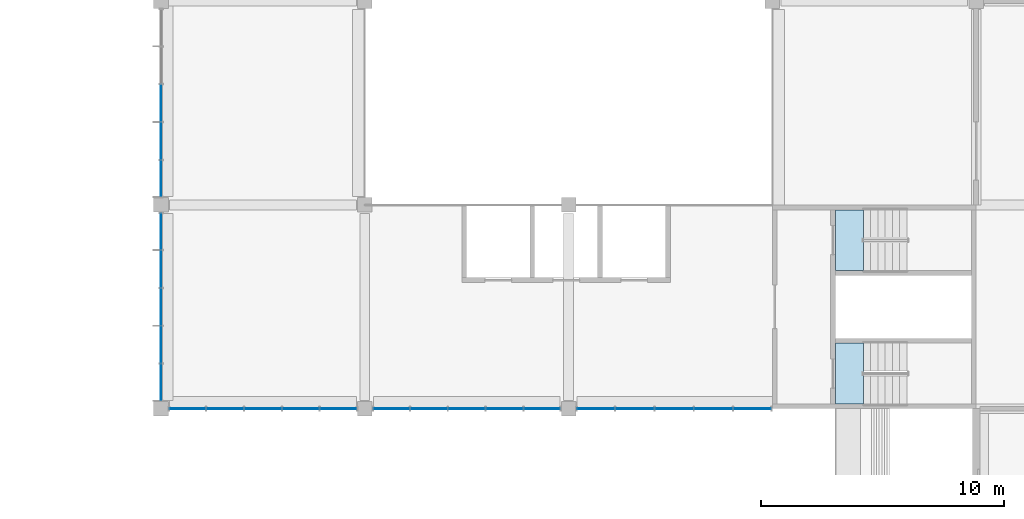
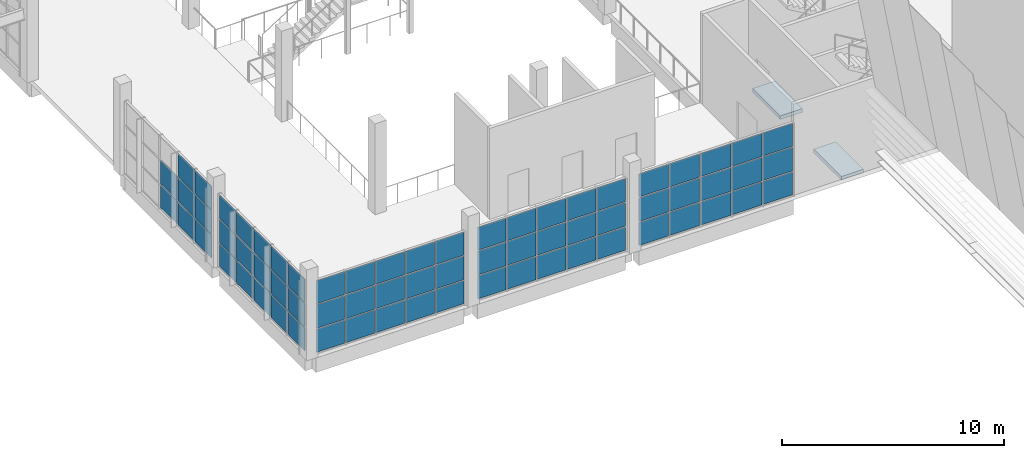
# One storey, part 15 of 59: 68 plates, 2 slabs, 5 elements without a shape of their own.
"""IFC4 building model written with IfcOpenShell, lengths in metres."""

from ifc_helpers import new_model, si_unit, direction, frame, origin, origin_2d, place, context, subcontext, project, spatial, polyline, rectangle, outline, extrude, material, layer, layer_set, type_object, element, aggregate, save


model = new_model("IFC4")

# Units and contexts
model_context = context("Model", 3, precision=1e-05, world=origin(), true_north=direction((0.0, 1.0)))
body_context = subcontext(model_context, "Body", "Model", "MODEL_VIEW")
ifc_project = project(units=[si_unit("LENGTHUNIT", "METRE"), si_unit("AREAUNIT", "SQUARE_METRE"), si_unit("VOLUMEUNIT", "CUBIC_METRE"), si_unit("PLANEANGLEUNIT", "RADIAN"), si_unit("MASSUNIT", "GRAM", prefix="KILO")], contexts=[model_context])

# Site, building, storey
site_placement = place(None, origin())
site = spatial("IfcSite", under=ifc_project, at=site_placement, CompositionType="ELEMENT")
building_placement = place(site_placement, origin())
building = spatial("IfcBuilding", under=site, at=building_placement, Name="Almond Square Museum", CompositionType="ELEMENT")
storey_placement = place(building_placement, frame((0.0, 0.0, 25.0)))
storey = spatial("IfcBuildingStorey", under=building, at=storey_placement, Name="L04", CompositionType="ELEMENT", Elevation=25.0)

# Slabs
ifc_material_1 = material(Name="Concrete C40/50", Category="concrete")
ifc_layer_1 = layer(ifc_material_1, 0.199951171875)
ifc_layer_set_1 = layer_set([ifc_layer_1], Name="Concrete C40/50")
slab_type = type_object("IfcSlabType", Name="Concrete stair landing 200", PredefinedType="LANDING", material=ifc_layer_set_1)
slab_1_placement = place(storey_placement, frame((0.0, 0.0, -0.199951171875)))
element("IfcSlab", 1, at=slab_1_placement, inside=storey, type_object=slab_type, Name="L04 stair A2-1 floor landing", PredefinedType="LANDING", context=body_context, shape_type="SweptSolid", body=[
    extrude(outline(polyline([(101.0, 67.39990234375), (102.153076171875, 67.39990234375), (102.153076171875, 69.89990234375), (101.0, 69.89990234375), (101.0, 67.39990234375)])), origin(), (0.0, 0.0, 1.0), 0.199951171875),
])
slab_2_placement = place(storey_placement, frame((0.0, 0.0, -0.199951171875)))
element("IfcSlab", 2, at=slab_2_placement, inside=storey, type_object=slab_type, Name="L04 stair A2-2 floor landing", PredefinedType="LANDING", context=body_context, shape_type="SweptSolid", body=[
    extrude(outline(polyline([(101.0, 72.89990234375), (102.153076171875, 72.89990234375), (102.153076171875, 75.39990234375), (101.0, 75.39990234375), (101.0, 72.89990234375)])), origin(), (0.0, 0.0, 1.0), 0.199951171875),
])

# Curtain wall, plates
ifc_material_2 = material(Name="Aluminium and laminated glass", Category="aluminium")
curtain_wall_type = type_object("IfcCurtainWallType", Name="Unitised curtain wall 1500 module", PredefinedType="NOTDEFINED", material=ifc_material_2)
curtain_wall_1_placement = place(storey_placement, origin())
curtain_wall_1 = element("IfcCurtainWall", 3, at=curtain_wall_1_placement, inside=storey, type_object=curtain_wall_type, Name="Curtain wall CW-45", PredefinedType="NOTDEFINED")
ifc_material_3 = material(Name="Laminated hurricane-rated glass", Category="glass")
ifc_layer_2 = layer(ifc_material_3, 0.035888671875)
ifc_layer_set_2 = layer_set([ifc_layer_2], Name="Laminated hurricane-rated glass")
plate_type = type_object("IfcPlateType", Name="Laminated glass panel 36", PredefinedType="CURTAIN_PANEL", material=ifc_layer_set_2)
plate_1_placement = place(storey_placement, frame((73.199951171875, 76.695068359375, 0.06005859375), z_axis=(0.0, 0.0, 1.0), x_axis=(0.0, 1.0, 0.0)))
plate_1 = element("IfcPlate", 4, at=plate_1_placement, type_object=plate_type, Name="CW-45 panel 1.1", PredefinedType="CURTAIN_PANEL", context=body_context, shape_type="SweptSolid", body=[
    extrude(rectangle(XDim=1.469970703125, YDim=0.035888671875, at=origin_2d()), origin(), (0.0, 0.0, 1.0), 1.260009765625),
])
plate_2_placement = place(storey_placement, frame((73.199951171875, 76.695068359375, 1.3798828125), z_axis=(0.0, 0.0, 1.0), x_axis=(0.0, 1.0, 0.0)))
plate_2 = element("IfcPlate", 5, at=plate_2_placement, type_object=plate_type, Name="CW-45 panel 1.2", PredefinedType="CURTAIN_PANEL", context=body_context, shape_type="SweptSolid", body=[
    extrude(rectangle(XDim=1.469970703125, YDim=0.035888671875, at=origin_2d()), origin(), (0.0, 0.0, 1.0), 1.2900390625),
])
plate_3_placement = place(storey_placement, frame((73.199951171875, 76.695068359375, 2.72998046875), z_axis=(0.0, 0.0, 1.0), x_axis=(0.0, 1.0, 0.0)))
plate_3 = element("IfcPlate", 6, at=plate_3_placement, type_object=plate_type, Name="CW-45 panel 1.3", PredefinedType="CURTAIN_PANEL", context=body_context, shape_type="SweptSolid", body=[
    extrude(rectangle(XDim=1.469970703125, YDim=0.035888671875, at=origin_2d()), origin(), (0.0, 0.0, 1.0), 1.260009765625),
])
plate_4_placement = place(storey_placement, frame((73.199951171875, 78.239990234375, 0.06005859375), z_axis=(0.0, 0.0, 1.0), x_axis=(0.0, 1.0, 0.0)))
plate_4 = element("IfcPlate", 7, at=plate_4_placement, type_object=plate_type, Name="CW-45 panel 2.1", PredefinedType="CURTAIN_PANEL", context=body_context, shape_type="SweptSolid", body=[
    extrude(rectangle(XDim=1.5, YDim=0.035888671875, at=origin_2d()), origin(), (0.0, 0.0, 1.0), 1.260009765625),
])
plate_5_placement = place(storey_placement, frame((73.199951171875, 78.239990234375, 1.3798828125), z_axis=(0.0, 0.0, 1.0), x_axis=(0.0, 1.0, 0.0)))
plate_5 = element("IfcPlate", 8, at=plate_5_placement, type_object=plate_type, Name="CW-45 panel 2.2", PredefinedType="CURTAIN_PANEL", context=body_context, shape_type="SweptSolid", body=[
    extrude(rectangle(XDim=1.5, YDim=0.035888671875, at=origin_2d()), origin(), (0.0, 0.0, 1.0), 1.2900390625),
])
plate_6_placement = place(storey_placement, frame((73.199951171875, 78.239990234375, 2.72998046875), z_axis=(0.0, 0.0, 1.0), x_axis=(0.0, 1.0, 0.0)))
plate_6 = element("IfcPlate", 9, at=plate_6_placement, type_object=plate_type, Name="CW-45 panel 2.3", PredefinedType="CURTAIN_PANEL", context=body_context, shape_type="SweptSolid", body=[
    extrude(rectangle(XDim=1.5, YDim=0.035888671875, at=origin_2d()), origin(), (0.0, 0.0, 1.0), 1.260009765625),
])
plate_7_placement = place(storey_placement, frame((73.199951171875, 79.800048828125, 0.06005859375), z_axis=(0.0, 0.0, 1.0), x_axis=(0.0, 1.0, 0.0)))
plate_7 = element("IfcPlate", 10, at=plate_7_placement, type_object=plate_type, Name="CW-45 panel 3.1", PredefinedType="CURTAIN_PANEL", context=body_context, shape_type="SweptSolid", body=[
    extrude(rectangle(XDim=1.5, YDim=0.035888671875, at=origin_2d()), origin(), (0.0, 0.0, 1.0), 1.260009765625),
])
plate_8_placement = place(storey_placement, frame((73.199951171875, 79.800048828125, 1.3798828125), z_axis=(0.0, 0.0, 1.0), x_axis=(0.0, 1.0, 0.0)))
plate_8 = element("IfcPlate", 11, at=plate_8_placement, type_object=plate_type, Name="CW-45 panel 3.2", PredefinedType="CURTAIN_PANEL", context=body_context, shape_type="SweptSolid", body=[
    extrude(rectangle(XDim=1.5, YDim=0.035888671875, at=origin_2d()), origin(), (0.0, 0.0, 1.0), 1.2900390625),
])
aggregate(curtain_wall_1, [plate_1, plate_2, plate_3, plate_4, plate_5, plate_6, plate_7, plate_8])

curtain_wall_2_placement = place(storey_placement, origin())
curtain_wall_2 = element("IfcCurtainWall", 12, at=curtain_wall_2_placement, inside=storey, type_object=curtain_wall_type, Name="Curtain wall CW-46", PredefinedType="NOTDEFINED")
plate_9_placement = place(storey_placement, frame((73.199951171875, 68.294921875, 0.06005859375), z_axis=(0.0, 0.0, 1.0), x_axis=(0.0, 1.0, 0.0)))
plate_9 = element("IfcPlate", 13, at=plate_9_placement, type_object=plate_type, Name="CW-46 panel 1.1", PredefinedType="CURTAIN_PANEL", context=body_context, shape_type="SweptSolid", body=[
    extrude(rectangle(XDim=1.469970703125, YDim=0.035888671875, at=origin_2d()), origin(), (0.0, 0.0, 1.0), 1.260009765625),
])
plate_10_placement = place(storey_placement, frame((73.199951171875, 68.294921875, 1.3798828125), z_axis=(0.0, 0.0, 1.0), x_axis=(0.0, 1.0, 0.0)))
plate_10 = element("IfcPlate", 14, at=plate_10_placement, type_object=plate_type, Name="CW-46 panel 1.2", PredefinedType="CURTAIN_PANEL", context=body_context, shape_type="SweptSolid", body=[
    extrude(rectangle(XDim=1.469970703125, YDim=0.035888671875, at=origin_2d()), origin(), (0.0, 0.0, 1.0), 1.2900390625),
])
plate_11_placement = place(storey_placement, frame((73.199951171875, 68.294921875, 2.72998046875), z_axis=(0.0, 0.0, 1.0), x_axis=(0.0, 1.0, 0.0)))
plate_11 = element("IfcPlate", 15, at=plate_11_placement, type_object=plate_type, Name="CW-46 panel 1.3", PredefinedType="CURTAIN_PANEL", context=body_context, shape_type="SweptSolid", body=[
    extrude(rectangle(XDim=1.469970703125, YDim=0.035888671875, at=origin_2d()), origin(), (0.0, 0.0, 1.0), 1.260009765625),
])
plate_12_placement = place(storey_placement, frame((73.199951171875, 69.840087890625, 0.06005859375), z_axis=(0.0, 0.0, 1.0), x_axis=(0.0, 1.0, 0.0)))
plate_12 = element("IfcPlate", 16, at=plate_12_placement, type_object=plate_type, Name="CW-46 panel 2.1", PredefinedType="CURTAIN_PANEL", context=body_context, shape_type="SweptSolid", body=[
    extrude(rectangle(XDim=1.5, YDim=0.035888671875, at=origin_2d()), origin(), (0.0, 0.0, 1.0), 1.260009765625),
])
plate_13_placement = place(storey_placement, frame((73.199951171875, 69.840087890625, 1.3798828125), z_axis=(0.0, 0.0, 1.0), x_axis=(0.0, 1.0, 0.0)))
plate_13 = element("IfcPlate", 17, at=plate_13_placement, type_object=plate_type, Name="CW-46 panel 2.2", PredefinedType="CURTAIN_PANEL", context=body_context, shape_type="SweptSolid", body=[
    extrude(rectangle(XDim=1.5, YDim=0.035888671875, at=origin_2d()), origin(), (0.0, 0.0, 1.0), 1.2900390625),
])
plate_14_placement = place(storey_placement, frame((73.199951171875, 69.840087890625, 2.72998046875), z_axis=(0.0, 0.0, 1.0), x_axis=(0.0, 1.0, 0.0)))
plate_14 = element("IfcPlate", 18, at=plate_14_placement, type_object=plate_type, Name="CW-46 panel 2.3", PredefinedType="CURTAIN_PANEL", context=body_context, shape_type="SweptSolid", body=[
    extrude(rectangle(XDim=1.5, YDim=0.035888671875, at=origin_2d()), origin(), (0.0, 0.0, 1.0), 1.260009765625),
])
plate_15_placement = place(storey_placement, frame((73.199951171875, 71.39990234375, 0.06005859375), z_axis=(0.0, 0.0, 1.0), x_axis=(0.0, 1.0, 0.0)))
plate_15 = element("IfcPlate", 19, at=plate_15_placement, type_object=plate_type, Name="CW-46 panel 3.1", PredefinedType="CURTAIN_PANEL", context=body_context, shape_type="SweptSolid", body=[
    extrude(rectangle(XDim=1.5, YDim=0.035888671875, at=origin_2d()), origin(), (0.0, 0.0, 1.0), 1.260009765625),
])
plate_16_placement = place(storey_placement, frame((73.199951171875, 71.39990234375, 1.3798828125), z_axis=(0.0, 0.0, 1.0), x_axis=(0.0, 1.0, 0.0)))
plate_16 = element("IfcPlate", 20, at=plate_16_placement, type_object=plate_type, Name="CW-46 panel 3.2", PredefinedType="CURTAIN_PANEL", context=body_context, shape_type="SweptSolid", body=[
    extrude(rectangle(XDim=1.5, YDim=0.035888671875, at=origin_2d()), origin(), (0.0, 0.0, 1.0), 1.2900390625),
])
plate_17_placement = place(storey_placement, frame((73.199951171875, 71.39990234375, 2.72998046875), z_axis=(0.0, 0.0, 1.0), x_axis=(0.0, 1.0, 0.0)))
plate_17 = element("IfcPlate", 21, at=plate_17_placement, type_object=plate_type, Name="CW-46 panel 3.3", PredefinedType="CURTAIN_PANEL", context=body_context, shape_type="SweptSolid", body=[
    extrude(rectangle(XDim=1.5, YDim=0.035888671875, at=origin_2d()), origin(), (0.0, 0.0, 1.0), 1.260009765625),
])
plate_18_placement = place(storey_placement, frame((73.199951171875, 72.9599609375, 0.06005859375), z_axis=(0.0, 0.0, 1.0), x_axis=(0.0, 1.0, 0.0)))
plate_18 = element("IfcPlate", 22, at=plate_18_placement, type_object=plate_type, Name="CW-46 panel 4.1", PredefinedType="CURTAIN_PANEL", context=body_context, shape_type="SweptSolid", body=[
    extrude(rectangle(XDim=1.5, YDim=0.035888671875, at=origin_2d()), origin(), (0.0, 0.0, 1.0), 1.260009765625),
])
plate_19_placement = place(storey_placement, frame((73.199951171875, 72.9599609375, 1.3798828125), z_axis=(0.0, 0.0, 1.0), x_axis=(0.0, 1.0, 0.0)))
plate_19 = element("IfcPlate", 23, at=plate_19_placement, type_object=plate_type, Name="CW-46 panel 4.2", PredefinedType="CURTAIN_PANEL", context=body_context, shape_type="SweptSolid", body=[
    extrude(rectangle(XDim=1.5, YDim=0.035888671875, at=origin_2d()), origin(), (0.0, 0.0, 1.0), 1.2900390625),
])
plate_20_placement = place(storey_placement, frame((73.199951171875, 72.9599609375, 2.72998046875), z_axis=(0.0, 0.0, 1.0), x_axis=(0.0, 1.0, 0.0)))
plate_20 = element("IfcPlate", 24, at=plate_20_placement, type_object=plate_type, Name="CW-46 panel 4.3", PredefinedType="CURTAIN_PANEL", context=body_context, shape_type="SweptSolid", body=[
    extrude(rectangle(XDim=1.5, YDim=0.035888671875, at=origin_2d()), origin(), (0.0, 0.0, 1.0), 1.260009765625),
])
plate_21_placement = place(storey_placement, frame((73.199951171875, 74.5048828125, 0.06005859375), z_axis=(0.0, 0.0, 1.0), x_axis=(0.0, 1.0, 0.0)))
plate_21 = element("IfcPlate", 25, at=plate_21_placement, type_object=plate_type, Name="CW-46 panel 5.1", PredefinedType="CURTAIN_PANEL", context=body_context, shape_type="SweptSolid", body=[
    extrude(rectangle(XDim=1.469970703125, YDim=0.035888671875, at=origin_2d()), origin(), (0.0, 0.0, 1.0), 1.260009765625),
])
plate_22_placement = place(storey_placement, frame((73.199951171875, 74.5048828125, 1.3798828125), z_axis=(0.0, 0.0, 1.0), x_axis=(0.0, 1.0, 0.0)))
plate_22 = element("IfcPlate", 26, at=plate_22_placement, type_object=plate_type, Name="CW-46 panel 5.2", PredefinedType="CURTAIN_PANEL", context=body_context, shape_type="SweptSolid", body=[
    extrude(rectangle(XDim=1.469970703125, YDim=0.035888671875, at=origin_2d()), origin(), (0.0, 0.0, 1.0), 1.2900390625),
])
plate_23_placement = place(storey_placement, frame((73.199951171875, 74.5048828125, 2.72998046875), z_axis=(0.0, 0.0, 1.0), x_axis=(0.0, 1.0, 0.0)))
plate_23 = element("IfcPlate", 27, at=plate_23_placement, type_object=plate_type, Name="CW-46 panel 5.3", PredefinedType="CURTAIN_PANEL", context=body_context, shape_type="SweptSolid", body=[
    extrude(rectangle(XDim=1.469970703125, YDim=0.035888671875, at=origin_2d()), origin(), (0.0, 0.0, 1.0), 1.260009765625),
])
aggregate(curtain_wall_2, [plate_9, plate_10, plate_11, plate_12, plate_13, plate_14, plate_15, plate_16, plate_17, plate_18, plate_19, plate_20, plate_21, plate_22, plate_23])

curtain_wall_3_placement = place(storey_placement, origin())
curtain_wall_3 = element("IfcCurtainWall", 28, at=curtain_wall_3_placement, inside=storey, type_object=curtain_wall_type, Name="Curtain wall CW-47", PredefinedType="NOTDEFINED")
plate_24_placement = place(storey_placement, frame((74.294921875, 67.199951171875, 0.06005859375), z_axis=(0.0, 0.0, 1.0), x_axis=(1.0, 0.0, 0.0)))
plate_24 = element("IfcPlate", 29, at=plate_24_placement, type_object=plate_type, Name="CW-47 panel 1.1", PredefinedType="CURTAIN_PANEL", context=body_context, shape_type="SweptSolid", body=[
    extrude(rectangle(XDim=1.469970703125, YDim=0.035888671875, at=origin_2d()), origin(), (0.0, 0.0, 1.0), 1.260009765625),
])
plate_25_placement = place(storey_placement, frame((74.294921875, 67.199951171875, 1.3798828125), z_axis=(0.0, 0.0, 1.0), x_axis=(1.0, 0.0, 0.0)))
plate_25 = element("IfcPlate", 30, at=plate_25_placement, type_object=plate_type, Name="CW-47 panel 1.2", PredefinedType="CURTAIN_PANEL", context=body_context, shape_type="SweptSolid", body=[
    extrude(rectangle(XDim=1.469970703125, YDim=0.035888671875, at=origin_2d()), origin(), (0.0, 0.0, 1.0), 1.2900390625),
])
plate_26_placement = place(storey_placement, frame((74.294921875, 67.199951171875, 2.72998046875), z_axis=(0.0, 0.0, 1.0), x_axis=(1.0, 0.0, 0.0)))
plate_26 = element("IfcPlate", 31, at=plate_26_placement, type_object=plate_type, Name="CW-47 panel 1.3", PredefinedType="CURTAIN_PANEL", context=body_context, shape_type="SweptSolid", body=[
    extrude(rectangle(XDim=1.469970703125, YDim=0.035888671875, at=origin_2d()), origin(), (0.0, 0.0, 1.0), 1.260009765625),
])
plate_27_placement = place(storey_placement, frame((75.840087890625, 67.199951171875, 0.06005859375), z_axis=(0.0, 0.0, 1.0), x_axis=(1.0, 0.0, 0.0)))
plate_27 = element("IfcPlate", 32, at=plate_27_placement, type_object=plate_type, Name="CW-47 panel 2.1", PredefinedType="CURTAIN_PANEL", context=body_context, shape_type="SweptSolid", body=[
    extrude(rectangle(XDim=1.5, YDim=0.035888671875, at=origin_2d()), origin(), (0.0, 0.0, 1.0), 1.260009765625),
])
plate_28_placement = place(storey_placement, frame((75.840087890625, 67.199951171875, 1.3798828125), z_axis=(0.0, 0.0, 1.0), x_axis=(1.0, 0.0, 0.0)))
plate_28 = element("IfcPlate", 33, at=plate_28_placement, type_object=plate_type, Name="CW-47 panel 2.2", PredefinedType="CURTAIN_PANEL", context=body_context, shape_type="SweptSolid", body=[
    extrude(rectangle(XDim=1.5, YDim=0.035888671875, at=origin_2d()), origin(), (0.0, 0.0, 1.0), 1.2900390625),
])
plate_29_placement = place(storey_placement, frame((75.840087890625, 67.199951171875, 2.72998046875), z_axis=(0.0, 0.0, 1.0), x_axis=(1.0, 0.0, 0.0)))
plate_29 = element("IfcPlate", 34, at=plate_29_placement, type_object=plate_type, Name="CW-47 panel 2.3", PredefinedType="CURTAIN_PANEL", context=body_context, shape_type="SweptSolid", body=[
    extrude(rectangle(XDim=1.5, YDim=0.035888671875, at=origin_2d()), origin(), (0.0, 0.0, 1.0), 1.260009765625),
])
plate_30_placement = place(storey_placement, frame((77.39990234375, 67.199951171875, 0.06005859375), z_axis=(0.0, 0.0, 1.0), x_axis=(1.0, 0.0, 0.0)))
plate_30 = element("IfcPlate", 35, at=plate_30_placement, type_object=plate_type, Name="CW-47 panel 3.1", PredefinedType="CURTAIN_PANEL", context=body_context, shape_type="SweptSolid", body=[
    extrude(rectangle(XDim=1.5, YDim=0.035888671875, at=origin_2d()), origin(), (0.0, 0.0, 1.0), 1.260009765625),
])
plate_31_placement = place(storey_placement, frame((77.39990234375, 67.199951171875, 1.3798828125), z_axis=(0.0, 0.0, 1.0), x_axis=(1.0, 0.0, 0.0)))
plate_31 = element("IfcPlate", 36, at=plate_31_placement, type_object=plate_type, Name="CW-47 panel 3.2", PredefinedType="CURTAIN_PANEL", context=body_context, shape_type="SweptSolid", body=[
    extrude(rectangle(XDim=1.5, YDim=0.035888671875, at=origin_2d()), origin(), (0.0, 0.0, 1.0), 1.2900390625),
])
plate_32_placement = place(storey_placement, frame((77.39990234375, 67.199951171875, 2.72998046875), z_axis=(0.0, 0.0, 1.0), x_axis=(1.0, 0.0, 0.0)))
plate_32 = element("IfcPlate", 37, at=plate_32_placement, type_object=plate_type, Name="CW-47 panel 3.3", PredefinedType="CURTAIN_PANEL", context=body_context, shape_type="SweptSolid", body=[
    extrude(rectangle(XDim=1.5, YDim=0.035888671875, at=origin_2d()), origin(), (0.0, 0.0, 1.0), 1.260009765625),
])
plate_33_placement = place(storey_placement, frame((78.9599609375, 67.199951171875, 0.06005859375), z_axis=(0.0, 0.0, 1.0), x_axis=(1.0, 0.0, 0.0)))
plate_33 = element("IfcPlate", 38, at=plate_33_placement, type_object=plate_type, Name="CW-47 panel 4.1", PredefinedType="CURTAIN_PANEL", context=body_context, shape_type="SweptSolid", body=[
    extrude(rectangle(XDim=1.5, YDim=0.035888671875, at=origin_2d()), origin(), (0.0, 0.0, 1.0), 1.260009765625),
])
plate_34_placement = place(storey_placement, frame((78.9599609375, 67.199951171875, 1.3798828125), z_axis=(0.0, 0.0, 1.0), x_axis=(1.0, 0.0, 0.0)))
plate_34 = element("IfcPlate", 39, at=plate_34_placement, type_object=plate_type, Name="CW-47 panel 4.2", PredefinedType="CURTAIN_PANEL", context=body_context, shape_type="SweptSolid", body=[
    extrude(rectangle(XDim=1.5, YDim=0.035888671875, at=origin_2d()), origin(), (0.0, 0.0, 1.0), 1.2900390625),
])
plate_35_placement = place(storey_placement, frame((78.9599609375, 67.199951171875, 2.72998046875), z_axis=(0.0, 0.0, 1.0), x_axis=(1.0, 0.0, 0.0)))
plate_35 = element("IfcPlate", 40, at=plate_35_placement, type_object=plate_type, Name="CW-47 panel 4.3", PredefinedType="CURTAIN_PANEL", context=body_context, shape_type="SweptSolid", body=[
    extrude(rectangle(XDim=1.5, YDim=0.035888671875, at=origin_2d()), origin(), (0.0, 0.0, 1.0), 1.260009765625),
])
plate_36_placement = place(storey_placement, frame((80.5048828125, 67.199951171875, 0.06005859375), z_axis=(0.0, 0.0, 1.0), x_axis=(1.0, 0.0, 0.0)))
plate_36 = element("IfcPlate", 41, at=plate_36_placement, type_object=plate_type, Name="CW-47 panel 5.1", PredefinedType="CURTAIN_PANEL", context=body_context, shape_type="SweptSolid", body=[
    extrude(rectangle(XDim=1.469970703125, YDim=0.035888671875, at=origin_2d()), origin(), (0.0, 0.0, 1.0), 1.260009765625),
])
plate_37_placement = place(storey_placement, frame((80.5048828125, 67.199951171875, 1.3798828125), z_axis=(0.0, 0.0, 1.0), x_axis=(1.0, 0.0, 0.0)))
plate_37 = element("IfcPlate", 42, at=plate_37_placement, type_object=plate_type, Name="CW-47 panel 5.2", PredefinedType="CURTAIN_PANEL", context=body_context, shape_type="SweptSolid", body=[
    extrude(rectangle(XDim=1.469970703125, YDim=0.035888671875, at=origin_2d()), origin(), (0.0, 0.0, 1.0), 1.2900390625),
])
plate_38_placement = place(storey_placement, frame((80.5048828125, 67.199951171875, 2.72998046875), z_axis=(0.0, 0.0, 1.0), x_axis=(1.0, 0.0, 0.0)))
plate_38 = element("IfcPlate", 43, at=plate_38_placement, type_object=plate_type, Name="CW-47 panel 5.3", PredefinedType="CURTAIN_PANEL", context=body_context, shape_type="SweptSolid", body=[
    extrude(rectangle(XDim=1.469970703125, YDim=0.035888671875, at=origin_2d()), origin(), (0.0, 0.0, 1.0), 1.260009765625),
])
aggregate(curtain_wall_3, [plate_24, plate_25, plate_26, plate_27, plate_28, plate_29, plate_30, plate_31, plate_32, plate_33, plate_34, plate_35, plate_36, plate_37, plate_38])

curtain_wall_4_placement = place(storey_placement, origin())
curtain_wall_4 = element("IfcCurtainWall", 44, at=curtain_wall_4_placement, inside=storey, type_object=curtain_wall_type, Name="Curtain wall CW-48", PredefinedType="NOTDEFINED")
plate_39_placement = place(storey_placement, frame((82.695068359375, 67.199951171875, 0.06005859375), z_axis=(0.0, 0.0, 1.0), x_axis=(1.0, 0.0, 0.0)))
plate_39 = element("IfcPlate", 45, at=plate_39_placement, type_object=plate_type, Name="CW-48 panel 1.1", PredefinedType="CURTAIN_PANEL", context=body_context, shape_type="SweptSolid", body=[
    extrude(rectangle(XDim=1.469970703125, YDim=0.035888671875, at=origin_2d()), origin(), (0.0, 0.0, 1.0), 1.260009765625),
])
plate_40_placement = place(storey_placement, frame((82.695068359375, 67.199951171875, 1.3798828125), z_axis=(0.0, 0.0, 1.0), x_axis=(1.0, 0.0, 0.0)))
plate_40 = element("IfcPlate", 46, at=plate_40_placement, type_object=plate_type, Name="CW-48 panel 1.2", PredefinedType="CURTAIN_PANEL", context=body_context, shape_type="SweptSolid", body=[
    extrude(rectangle(XDim=1.469970703125, YDim=0.035888671875, at=origin_2d()), origin(), (0.0, 0.0, 1.0), 1.2900390625),
])
plate_41_placement = place(storey_placement, frame((82.695068359375, 67.199951171875, 2.72998046875), z_axis=(0.0, 0.0, 1.0), x_axis=(1.0, 0.0, 0.0)))
plate_41 = element("IfcPlate", 47, at=plate_41_placement, type_object=plate_type, Name="CW-48 panel 1.3", PredefinedType="CURTAIN_PANEL", context=body_context, shape_type="SweptSolid", body=[
    extrude(rectangle(XDim=1.469970703125, YDim=0.035888671875, at=origin_2d()), origin(), (0.0, 0.0, 1.0), 1.260009765625),
])
plate_42_placement = place(storey_placement, frame((84.239990234375, 67.199951171875, 0.06005859375), z_axis=(0.0, 0.0, 1.0), x_axis=(1.0, 0.0, 0.0)))
plate_42 = element("IfcPlate", 48, at=plate_42_placement, type_object=plate_type, Name="CW-48 panel 2.1", PredefinedType="CURTAIN_PANEL", context=body_context, shape_type="SweptSolid", body=[
    extrude(rectangle(XDim=1.5, YDim=0.035888671875, at=origin_2d()), origin(), (0.0, 0.0, 1.0), 1.260009765625),
])
plate_43_placement = place(storey_placement, frame((84.239990234375, 67.199951171875, 1.3798828125), z_axis=(0.0, 0.0, 1.0), x_axis=(1.0, 0.0, 0.0)))
plate_43 = element("IfcPlate", 49, at=plate_43_placement, type_object=plate_type, Name="CW-48 panel 2.2", PredefinedType="CURTAIN_PANEL", context=body_context, shape_type="SweptSolid", body=[
    extrude(rectangle(XDim=1.5, YDim=0.035888671875, at=origin_2d()), origin(), (0.0, 0.0, 1.0), 1.2900390625),
])
plate_44_placement = place(storey_placement, frame((84.239990234375, 67.199951171875, 2.72998046875), z_axis=(0.0, 0.0, 1.0), x_axis=(1.0, 0.0, 0.0)))
plate_44 = element("IfcPlate", 50, at=plate_44_placement, type_object=plate_type, Name="CW-48 panel 2.3", PredefinedType="CURTAIN_PANEL", context=body_context, shape_type="SweptSolid", body=[
    extrude(rectangle(XDim=1.5, YDim=0.035888671875, at=origin_2d()), origin(), (0.0, 0.0, 1.0), 1.260009765625),
])
plate_45_placement = place(storey_placement, frame((85.800048828125, 67.199951171875, 0.06005859375), z_axis=(0.0, 0.0, 1.0), x_axis=(1.0, 0.0, 0.0)))
plate_45 = element("IfcPlate", 51, at=plate_45_placement, type_object=plate_type, Name="CW-48 panel 3.1", PredefinedType="CURTAIN_PANEL", context=body_context, shape_type="SweptSolid", body=[
    extrude(rectangle(XDim=1.5, YDim=0.035888671875, at=origin_2d()), origin(), (0.0, 0.0, 1.0), 1.260009765625),
])
plate_46_placement = place(storey_placement, frame((85.800048828125, 67.199951171875, 1.3798828125), z_axis=(0.0, 0.0, 1.0), x_axis=(1.0, 0.0, 0.0)))
plate_46 = element("IfcPlate", 52, at=plate_46_placement, type_object=plate_type, Name="CW-48 panel 3.2", PredefinedType="CURTAIN_PANEL", context=body_context, shape_type="SweptSolid", body=[
    extrude(rectangle(XDim=1.5, YDim=0.035888671875, at=origin_2d()), origin(), (0.0, 0.0, 1.0), 1.2900390625),
])
plate_47_placement = place(storey_placement, frame((85.800048828125, 67.199951171875, 2.72998046875), z_axis=(0.0, 0.0, 1.0), x_axis=(1.0, 0.0, 0.0)))
plate_47 = element("IfcPlate", 53, at=plate_47_placement, type_object=plate_type, Name="CW-48 panel 3.3", PredefinedType="CURTAIN_PANEL", context=body_context, shape_type="SweptSolid", body=[
    extrude(rectangle(XDim=1.5, YDim=0.035888671875, at=origin_2d()), origin(), (0.0, 0.0, 1.0), 1.260009765625),
])
plate_48_placement = place(storey_placement, frame((87.360107421875, 67.199951171875, 0.06005859375), z_axis=(0.0, 0.0, 1.0), x_axis=(1.0, 0.0, 0.0)))
plate_48 = element("IfcPlate", 54, at=plate_48_placement, type_object=plate_type, Name="CW-48 panel 4.1", PredefinedType="CURTAIN_PANEL", context=body_context, shape_type="SweptSolid", body=[
    extrude(rectangle(XDim=1.5, YDim=0.035888671875, at=origin_2d()), origin(), (0.0, 0.0, 1.0), 1.260009765625),
])
plate_49_placement = place(storey_placement, frame((87.360107421875, 67.199951171875, 1.3798828125), z_axis=(0.0, 0.0, 1.0), x_axis=(1.0, 0.0, 0.0)))
plate_49 = element("IfcPlate", 55, at=plate_49_placement, type_object=plate_type, Name="CW-48 panel 4.2", PredefinedType="CURTAIN_PANEL", context=body_context, shape_type="SweptSolid", body=[
    extrude(rectangle(XDim=1.5, YDim=0.035888671875, at=origin_2d()), origin(), (0.0, 0.0, 1.0), 1.2900390625),
])
plate_50_placement = place(storey_placement, frame((87.360107421875, 67.199951171875, 2.72998046875), z_axis=(0.0, 0.0, 1.0), x_axis=(1.0, 0.0, 0.0)))
plate_50 = element("IfcPlate", 56, at=plate_50_placement, type_object=plate_type, Name="CW-48 panel 4.3", PredefinedType="CURTAIN_PANEL", context=body_context, shape_type="SweptSolid", body=[
    extrude(rectangle(XDim=1.5, YDim=0.035888671875, at=origin_2d()), origin(), (0.0, 0.0, 1.0), 1.260009765625),
])
plate_51_placement = place(storey_placement, frame((88.905029296875, 67.199951171875, 0.06005859375), z_axis=(0.0, 0.0, 1.0), x_axis=(1.0, 0.0, 0.0)))
plate_51 = element("IfcPlate", 57, at=plate_51_placement, type_object=plate_type, Name="CW-48 panel 5.1", PredefinedType="CURTAIN_PANEL", context=body_context, shape_type="SweptSolid", body=[
    extrude(rectangle(XDim=1.469970703125, YDim=0.035888671875, at=origin_2d()), origin(), (0.0, 0.0, 1.0), 1.260009765625),
])
plate_52_placement = place(storey_placement, frame((88.905029296875, 67.199951171875, 1.3798828125), z_axis=(0.0, 0.0, 1.0), x_axis=(1.0, 0.0, 0.0)))
plate_52 = element("IfcPlate", 58, at=plate_52_placement, type_object=plate_type, Name="CW-48 panel 5.2", PredefinedType="CURTAIN_PANEL", context=body_context, shape_type="SweptSolid", body=[
    extrude(rectangle(XDim=1.469970703125, YDim=0.035888671875, at=origin_2d()), origin(), (0.0, 0.0, 1.0), 1.2900390625),
])
plate_53_placement = place(storey_placement, frame((88.905029296875, 67.199951171875, 2.72998046875), z_axis=(0.0, 0.0, 1.0), x_axis=(1.0, 0.0, 0.0)))
plate_53 = element("IfcPlate", 59, at=plate_53_placement, type_object=plate_type, Name="CW-48 panel 5.3", PredefinedType="CURTAIN_PANEL", context=body_context, shape_type="SweptSolid", body=[
    extrude(rectangle(XDim=1.469970703125, YDim=0.035888671875, at=origin_2d()), origin(), (0.0, 0.0, 1.0), 1.260009765625),
])
aggregate(curtain_wall_4, [plate_39, plate_40, plate_41, plate_42, plate_43, plate_44, plate_45, plate_46, plate_47, plate_48, plate_49, plate_50, plate_51, plate_52, plate_53])

curtain_wall_5_placement = place(storey_placement, origin())
curtain_wall_5 = element("IfcCurtainWall", 60, at=curtain_wall_5_placement, inside=storey, type_object=curtain_wall_type, Name="Curtain wall CW-49", PredefinedType="NOTDEFINED")
plate_54_placement = place(storey_placement, frame((91.125, 67.199951171875, 0.06005859375), z_axis=(0.0, 0.0, 1.0), x_axis=(1.0, 0.0, 0.0)))
plate_54 = element("IfcPlate", 61, at=plate_54_placement, type_object=plate_type, Name="CW-49 panel 1.1", PredefinedType="CURTAIN_PANEL", context=body_context, shape_type="SweptSolid", body=[
    extrude(rectangle(XDim=1.530029296875, YDim=0.035888671875, at=origin_2d()), origin(), (0.0, 0.0, 1.0), 1.260009765625),
])
plate_55_placement = place(storey_placement, frame((91.125, 67.199951171875, 1.3798828125), z_axis=(0.0, 0.0, 1.0), x_axis=(1.0, 0.0, 0.0)))
plate_55 = element("IfcPlate", 62, at=plate_55_placement, type_object=plate_type, Name="CW-49 panel 1.2", PredefinedType="CURTAIN_PANEL", context=body_context, shape_type="SweptSolid", body=[
    extrude(rectangle(XDim=1.530029296875, YDim=0.035888671875, at=origin_2d()), origin(), (0.0, 0.0, 1.0), 1.2900390625),
])
plate_56_placement = place(storey_placement, frame((91.125, 67.199951171875, 2.72998046875), z_axis=(0.0, 0.0, 1.0), x_axis=(1.0, 0.0, 0.0)))
plate_56 = element("IfcPlate", 63, at=plate_56_placement, type_object=plate_type, Name="CW-49 panel 1.3", PredefinedType="CURTAIN_PANEL", context=body_context, shape_type="SweptSolid", body=[
    extrude(rectangle(XDim=1.530029296875, YDim=0.035888671875, at=origin_2d()), origin(), (0.0, 0.0, 1.0), 1.260009765625),
])
plate_57_placement = place(storey_placement, frame((92.72998046875, 67.199951171875, 0.06005859375), z_axis=(0.0, 0.0, 1.0), x_axis=(1.0, 0.0, 0.0)))
plate_57 = element("IfcPlate", 64, at=plate_57_placement, type_object=plate_type, Name="CW-49 panel 2.1", PredefinedType="CURTAIN_PANEL", context=body_context, shape_type="SweptSolid", body=[
    extrude(rectangle(XDim=1.56005859375, YDim=0.035888671875, at=origin_2d()), origin(), (0.0, 0.0, 1.0), 1.260009765625),
])
plate_58_placement = place(storey_placement, frame((92.72998046875, 67.199951171875, 1.3798828125), z_axis=(0.0, 0.0, 1.0), x_axis=(1.0, 0.0, 0.0)))
plate_58 = element("IfcPlate", 65, at=plate_58_placement, type_object=plate_type, Name="CW-49 panel 2.2", PredefinedType="CURTAIN_PANEL", context=body_context, shape_type="SweptSolid", body=[
    extrude(rectangle(XDim=1.56005859375, YDim=0.035888671875, at=origin_2d()), origin(), (0.0, 0.0, 1.0), 1.2900390625),
])
plate_59_placement = place(storey_placement, frame((92.72998046875, 67.199951171875, 2.72998046875), z_axis=(0.0, 0.0, 1.0), x_axis=(1.0, 0.0, 0.0)))
plate_59 = element("IfcPlate", 66, at=plate_59_placement, type_object=plate_type, Name="CW-49 panel 2.3", PredefinedType="CURTAIN_PANEL", context=body_context, shape_type="SweptSolid", body=[
    extrude(rectangle(XDim=1.56005859375, YDim=0.035888671875, at=origin_2d()), origin(), (0.0, 0.0, 1.0), 1.260009765625),
])
plate_60_placement = place(storey_placement, frame((94.35009765625, 67.199951171875, 0.06005859375), z_axis=(0.0, 0.0, 1.0), x_axis=(1.0, 0.0, 0.0)))
plate_60 = element("IfcPlate", 67, at=plate_60_placement, type_object=plate_type, Name="CW-49 panel 3.1", PredefinedType="CURTAIN_PANEL", context=body_context, shape_type="SweptSolid", body=[
    extrude(rectangle(XDim=1.56005859375, YDim=0.035888671875, at=origin_2d()), origin(), (0.0, 0.0, 1.0), 1.260009765625),
])
plate_61_placement = place(storey_placement, frame((94.35009765625, 67.199951171875, 1.3798828125), z_axis=(0.0, 0.0, 1.0), x_axis=(1.0, 0.0, 0.0)))
plate_61 = element("IfcPlate", 68, at=plate_61_placement, type_object=plate_type, Name="CW-49 panel 3.2", PredefinedType="CURTAIN_PANEL", context=body_context, shape_type="SweptSolid", body=[
    extrude(rectangle(XDim=1.56005859375, YDim=0.035888671875, at=origin_2d()), origin(), (0.0, 0.0, 1.0), 1.2900390625),
])
plate_62_placement = place(storey_placement, frame((94.35009765625, 67.199951171875, 2.72998046875), z_axis=(0.0, 0.0, 1.0), x_axis=(1.0, 0.0, 0.0)))
plate_62 = element("IfcPlate", 69, at=plate_62_placement, type_object=plate_type, Name="CW-49 panel 3.3", PredefinedType="CURTAIN_PANEL", context=body_context, shape_type="SweptSolid", body=[
    extrude(rectangle(XDim=1.56005859375, YDim=0.035888671875, at=origin_2d()), origin(), (0.0, 0.0, 1.0), 1.260009765625),
])
plate_63_placement = place(storey_placement, frame((95.969970703125, 67.199951171875, 0.06005859375), z_axis=(0.0, 0.0, 1.0), x_axis=(1.0, 0.0, 0.0)))
plate_63 = element("IfcPlate", 70, at=plate_63_placement, type_object=plate_type, Name="CW-49 panel 4.1", PredefinedType="CURTAIN_PANEL", context=body_context, shape_type="SweptSolid", body=[
    extrude(rectangle(XDim=1.56005859375, YDim=0.035888671875, at=origin_2d()), origin(), (0.0, 0.0, 1.0), 1.260009765625),
])
plate_64_placement = place(storey_placement, frame((95.969970703125, 67.199951171875, 1.3798828125), z_axis=(0.0, 0.0, 1.0), x_axis=(1.0, 0.0, 0.0)))
plate_64 = element("IfcPlate", 71, at=plate_64_placement, type_object=plate_type, Name="CW-49 panel 4.2", PredefinedType="CURTAIN_PANEL", context=body_context, shape_type="SweptSolid", body=[
    extrude(rectangle(XDim=1.56005859375, YDim=0.035888671875, at=origin_2d()), origin(), (0.0, 0.0, 1.0), 1.2900390625),
])
plate_65_placement = place(storey_placement, frame((95.969970703125, 67.199951171875, 2.72998046875), z_axis=(0.0, 0.0, 1.0), x_axis=(1.0, 0.0, 0.0)))
plate_65 = element("IfcPlate", 72, at=plate_65_placement, type_object=plate_type, Name="CW-49 panel 4.3", PredefinedType="CURTAIN_PANEL", context=body_context, shape_type="SweptSolid", body=[
    extrude(rectangle(XDim=1.56005859375, YDim=0.035888671875, at=origin_2d()), origin(), (0.0, 0.0, 1.0), 1.260009765625),
])
plate_66_placement = place(storey_placement, frame((97.574951171875, 67.199951171875, 0.06005859375), z_axis=(0.0, 0.0, 1.0), x_axis=(1.0, 0.0, 0.0)))
plate_66 = element("IfcPlate", 73, at=plate_66_placement, type_object=plate_type, Name="CW-49 panel 5.1", PredefinedType="CURTAIN_PANEL", context=body_context, shape_type="SweptSolid", body=[
    extrude(rectangle(XDim=1.530029296875, YDim=0.035888671875, at=origin_2d()), origin(), (0.0, 0.0, 1.0), 1.260009765625),
])
plate_67_placement = place(storey_placement, frame((97.574951171875, 67.199951171875, 1.3798828125), z_axis=(0.0, 0.0, 1.0), x_axis=(1.0, 0.0, 0.0)))
plate_67 = element("IfcPlate", 74, at=plate_67_placement, type_object=plate_type, Name="CW-49 panel 5.2", PredefinedType="CURTAIN_PANEL", context=body_context, shape_type="SweptSolid", body=[
    extrude(rectangle(XDim=1.530029296875, YDim=0.035888671875, at=origin_2d()), origin(), (0.0, 0.0, 1.0), 1.2900390625),
])
plate_68_placement = place(storey_placement, frame((97.574951171875, 67.199951171875, 2.72998046875), z_axis=(0.0, 0.0, 1.0), x_axis=(1.0, 0.0, 0.0)))
plate_68 = element("IfcPlate", 75, at=plate_68_placement, type_object=plate_type, Name="CW-49 panel 5.3", PredefinedType="CURTAIN_PANEL", context=body_context, shape_type="SweptSolid", body=[
    extrude(rectangle(XDim=1.530029296875, YDim=0.035888671875, at=origin_2d()), origin(), (0.0, 0.0, 1.0), 1.260009765625),
])
aggregate(curtain_wall_5, [plate_54, plate_55, plate_56, plate_57, plate_58, plate_59, plate_60, plate_61, plate_62, plate_63, plate_64, plate_65, plate_66, plate_67, plate_68])

save(model, "model.ifc")
